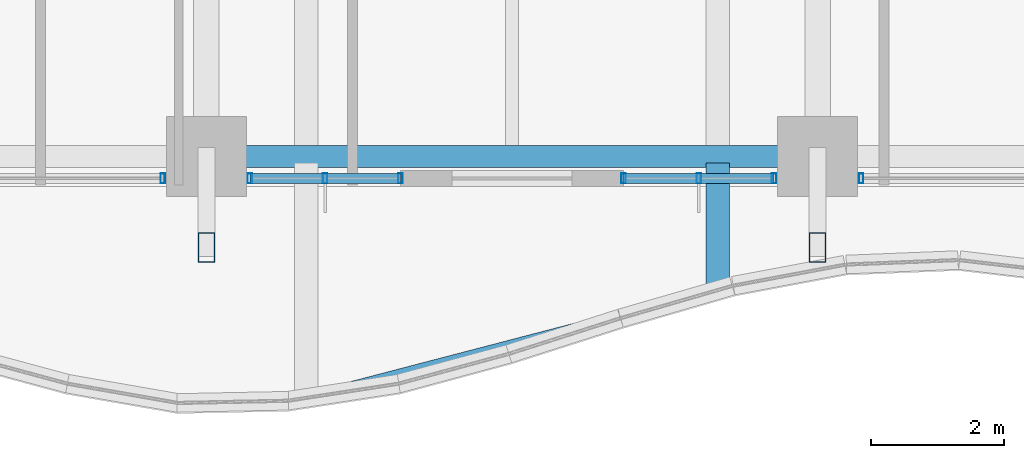
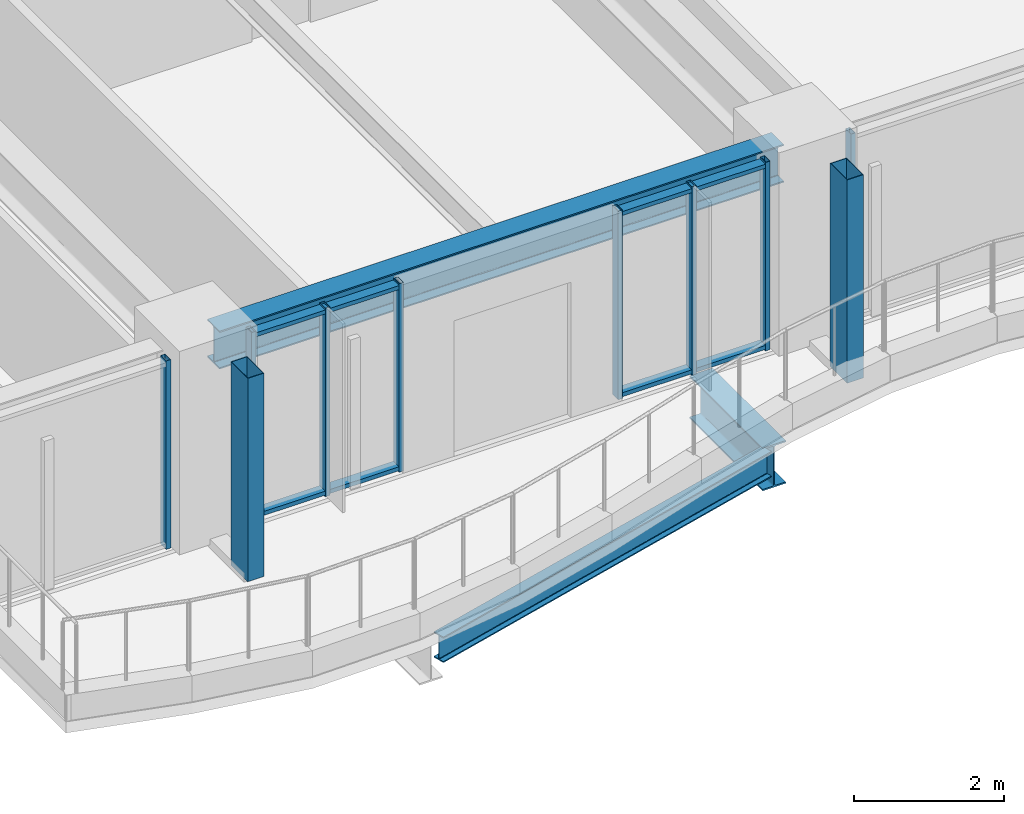
# One storey, part 5 of 38: 14 members, 3 beams, 4 elements without a shape of their own.
"""IFC4 building model written with IfcOpenShell, lengths in metres."""

from ifc_helpers import new_model, si_unit, direction, frame, origin, origin_2d, place, context, subcontext, project, spatial, hollow_rectangle, i_section, extrude, material, material_profile, profile_set, type_object, element, aggregate, save


model = new_model("IFC4")

# Units and contexts
model_context = context("Model", 3, precision=1e-05, world=origin(), true_north=direction((0.0, 1.0)))
body_context = subcontext(model_context, "Body", "Model", "MODEL_VIEW")
ifc_project = project(units=[si_unit("LENGTHUNIT", "METRE"), si_unit("AREAUNIT", "SQUARE_METRE"), si_unit("VOLUMEUNIT", "CUBIC_METRE"), si_unit("PLANEANGLEUNIT", "RADIAN"), si_unit("MASSUNIT", "GRAM", prefix="KILO")], contexts=[model_context])

# Site, building, storey
site_placement = place(None, origin())
site = spatial("IfcSite", under=ifc_project, at=site_placement, CompositionType="ELEMENT")
building_placement = place(site_placement, origin())
building = spatial("IfcBuilding", under=site, at=building_placement, Name="Kolvaren Belvedere", CompositionType="ELEMENT")
storey_placement = place(building_placement, frame((0.0, 0.0, 50.199951171875)))
storey = spatial("IfcBuildingStorey", under=building, at=storey_placement, Name="L14", CompositionType="ELEMENT", Elevation=50.199951171875)

# Beams
ifc_material_1 = material(Name="Structural steel ASTM A992 Grade 50", Category="steel")
ifc_material_profile_1 = material_profile(ifc_material_1, i_section(OverallWidth=0.35498046875, OverallDepth=0.696044921875, WebThickness=0.015380859375, FlangeThickness=0.02490234375, FilletRadius=0.02197265625, at=origin_2d()), Name="W27X146")
ifc_profile_set_1 = profile_set([ifc_material_profile_1], Name="Structural steel ASTM A992 Grade 50")
beam_type_1 = type_object("IfcBeamType", Name="BM-CANT-BAL", PredefinedType="BEAM", material=ifc_profile_set_1)
beam_1_placement = place(storey_placement, frame((3.10009765625, -21.64501953125, -0.587890625), z_axis=(0.0, -1.0, 0.0), x_axis=(1.0, 0.0, 0.0)))
element("IfcBeam", 1, at=beam_1_placement, inside=storey, type_object=beam_type_1, Name="L14 Planted Balcony Cantilever BAL-S-2", PredefinedType="BEAM", context=body_context, shape_type="SweptSolid", body=[
    extrude(i_section(OverallWidth=0.35498046875, OverallDepth=0.696044921875, WebThickness=0.015380859375, FlangeThickness=0.02490234375, FilletRadius=0.02197265625, at=origin_2d()), origin(), (0.0, 0.0, 1.0), 1.94189453125),
])
ifc_material_2 = material(Name="Structural steel ASTM A992 Grade 50", Category="steel")
ifc_material_profile_2 = material_profile(ifc_material_2, i_section(OverallWidth=0.180908203125, OverallDepth=0.4169921875, WebThickness=0.010986328125, FlangeThickness=0.018310546875, FilletRadius=0.013916015625, at=origin_2d()), Name="W16X57")
ifc_profile_set_2 = profile_set([ifc_material_profile_2], Name="Structural steel ASTM A992 Grade 50")
beam_type_2 = type_object("IfcBeamType", Name="BM-EDGE-W16X57", PredefinedType="BEAM", material=ifc_profile_set_2)
beam_2_placement = place(storey_placement, frame((-2.964599609375, -25.170654296875, -0.448486328125), z_axis=(0.9675537799, 0.25266515985, 0.0), x_axis=(-0.25266515985, 0.9675537799, 0.0)))
element("IfcBeam", 2, at=beam_2_placement, inside=storey, type_object=beam_type_2, Name="L14 Balcony Tip Header Beam BAL-S", PredefinedType="BEAM", context=body_context, shape_type="SweptSolid", body=[
    extrude(i_section(OverallWidth=0.180908203125, OverallDepth=0.4169921875, WebThickness=0.010986328125, FlangeThickness=0.018310546875, FilletRadius=0.013916015625, at=origin_2d()), origin(), (0.0, 0.0, 1.0), 6.1279296875),
])
ifc_material_3 = material(Name="Structural steel ASTM A992 Grade 50", Category="steel")
ifc_material_profile_3 = material_profile(ifc_material_3, i_section(OverallWidth=0.324951171875, OverallDepth=0.615966796875, WebThickness=0.013916015625, FlangeThickness=0.021484375, FilletRadius=0.02001953125, at=origin_2d()), Name="W24X117")
ifc_profile_set_3 = profile_set([ifc_material_profile_3], Name="Structural steel ASTM A992 Grade 50")
beam_type_3 = type_object("IfcBeamType", Name="BM-SPAN-W24X117", PredefinedType="SPANDREL", material=ifc_profile_set_3)
beam_3_placement = place(storey_placement, frame((-4.330078125, -21.550048828125, 2.751953125), z_axis=(1.0, 0.0, 0.0), x_axis=(0.0, 1.0, 0.0)))
element("IfcBeam", 3, at=beam_3_placement, inside=storey, type_object=beam_type_3, Name="L14 Perimeter Spandrel S2-S3", PredefinedType="SPANDREL", context=body_context, shape_type="SweptSolid", body=[
    extrude(i_section(OverallWidth=0.324951171875, OverallDepth=0.615966796875, WebThickness=0.013916015625, FlangeThickness=0.021484375, FilletRadius=0.02001953125, at=origin_2d()), origin(), (0.0, 0.0, 1.0), 8.66015625),
])

# Curtain wall, member
ifc_material_4 = material(Name="Anodised pale-metal aluminium AA 6063-T6", Category="aluminium")
curtain_wall_type = type_object("IfcCurtainWallType", Name="CW-Z1-LOW", PredefinedType="NOTDEFINED", material=ifc_material_4)
curtain_wall_1_placement = place(storey_placement, origin())
curtain_wall_1 = element("IfcCurtainWall", 4, at=curtain_wall_1_placement, inside=storey, type_object=curtain_wall_type, Name="L14 Unitised Curtain Wall FCW-L14-S1-B1", PredefinedType="NOTDEFINED")
ifc_material_5 = material(Name="Anodised pale-metal aluminium AA 6063-T6", Category="aluminium")
ifc_material_profile_4 = material_profile(ifc_material_5, hollow_rectangle(XDim=0.070068359375, YDim=0.14990234375, WallThickness=0.004150390625, at=origin_2d()), Name="ALU-MUL-150X70")
ifc_profile_set_4 = profile_set([ifc_material_profile_4], Name="Anodised pale-metal aluminium AA 6063-T6")
member_type_1 = type_object("IfcMemberType", Name="CW-MUL-150", PredefinedType="MULLION", material=ifc_profile_set_4)
member_1_placement = place(storey_placement, frame((5.2548828125, -21.8798828125, 0.0), z_axis=(0.0, 0.0, 1.0), x_axis=(1.0, 0.0, 0.0)))
member_1 = element("IfcMember", 5, at=member_1_placement, type_object=member_type_1, Name="FCW-L14-S1-B1 Unitised Mullion 3", PredefinedType="MULLION", context=body_context, shape_type="SweptSolid", body=[
    extrude(hollow_rectangle(XDim=0.070068359375, YDim=0.14990234375, WallThickness=0.004150390625, at=origin_2d()), origin(), (0.0, 0.0, 1.0), 3.06005859375),
])
aggregate(curtain_wall_1, [member_1])

# Curtain wall, members
curtain_wall_2_placement = place(storey_placement, origin())
curtain_wall_2 = element("IfcCurtainWall", 6, at=curtain_wall_2_placement, inside=storey, type_object=curtain_wall_type, Name="L14 Unitised Curtain Wall FCW-L14-S1-B2", PredefinedType="NOTDEFINED")
member_2_placement = place(storey_placement, frame((3.945068359375, -21.8798828125, 0.0), z_axis=(0.0, 0.0, 1.0), x_axis=(1.0, 0.0, 0.0)))
member_2 = element("IfcMember", 7, at=member_2_placement, type_object=member_type_1, Name="FCW-L14-S1-B2 Unitised Mullion 1", PredefinedType="MULLION", context=body_context, shape_type="SweptSolid", body=[
    extrude(hollow_rectangle(XDim=0.070068359375, YDim=0.14990234375, WallThickness=0.004150390625, at=origin_2d()), origin(), (0.0, 0.0, 1.0), 3.06005859375),
])
member_3_placement = place(storey_placement, frame((2.8125, -21.8798828125, 0.0), z_axis=(0.0, 0.0, 1.0), x_axis=(1.0, 0.0, 0.0)))
member_3 = element("IfcMember", 8, at=member_3_placement, type_object=member_type_1, Name="FCW-L14-S1-B2 Unitised Mullion 2", PredefinedType="MULLION", context=body_context, shape_type="SweptSolid", body=[
    extrude(hollow_rectangle(XDim=0.070068359375, YDim=0.14990234375, WallThickness=0.004150390625, at=origin_2d()), origin(), (0.0, 0.0, 1.0), 3.06005859375),
])
member_4_placement = place(storey_placement, frame((1.679931640625, -21.8798828125, 0.0), z_axis=(0.0, 0.0, 1.0), x_axis=(1.0, 0.0, 0.0)))
member_4 = element("IfcMember", 9, at=member_4_placement, type_object=member_type_1, Name="FCW-L14-S1-B2 Unitised Mullion 3", PredefinedType="MULLION", context=body_context, shape_type="SweptSolid", body=[
    extrude(hollow_rectangle(XDim=0.070068359375, YDim=0.14990234375, WallThickness=0.004150390625, at=origin_2d()), origin(), (0.0, 0.0, 1.0), 3.06005859375),
])

curtain_wall_3_placement = place(storey_placement, origin())
curtain_wall_3 = element("IfcCurtainWall", 10, at=curtain_wall_3_placement, inside=storey, type_object=curtain_wall_type, Name="L14 Unitised Curtain Wall FCW-L14-S2-B1", PredefinedType="NOTDEFINED")
member_5_placement = place(storey_placement, frame((-1.679931640625, -21.8798828125, 0.0), z_axis=(0.0, 0.0, 1.0), x_axis=(1.0, 0.0, 0.0)))
member_5 = element("IfcMember", 11, at=member_5_placement, type_object=member_type_1, Name="FCW-L14-S2-B1 Unitised Mullion 1", PredefinedType="MULLION", context=body_context, shape_type="SweptSolid", body=[
    extrude(hollow_rectangle(XDim=0.070068359375, YDim=0.14990234375, WallThickness=0.004150390625, at=origin_2d()), origin(), (0.0, 0.0, 1.0), 3.06005859375),
])
member_6_placement = place(storey_placement, frame((-2.8125, -21.8798828125, 0.0), z_axis=(0.0, 0.0, 1.0), x_axis=(1.0, 0.0, 0.0)))
member_6 = element("IfcMember", 12, at=member_6_placement, type_object=member_type_1, Name="FCW-L14-S2-B1 Unitised Mullion 2", PredefinedType="MULLION", context=body_context, shape_type="SweptSolid", body=[
    extrude(hollow_rectangle(XDim=0.070068359375, YDim=0.14990234375, WallThickness=0.004150390625, at=origin_2d()), origin(), (0.0, 0.0, 1.0), 3.06005859375),
])
member_7_placement = place(storey_placement, frame((-3.945068359375, -21.8798828125, 0.0), z_axis=(0.0, 0.0, 1.0), x_axis=(1.0, 0.0, 0.0)))
member_7 = element("IfcMember", 13, at=member_7_placement, type_object=member_type_1, Name="FCW-L14-S2-B1 Unitised Mullion 3", PredefinedType="MULLION", context=body_context, shape_type="SweptSolid", body=[
    extrude(hollow_rectangle(XDim=0.070068359375, YDim=0.14990234375, WallThickness=0.004150390625, at=origin_2d()), origin(), (0.0, 0.0, 1.0), 3.06005859375),
])

# Curtain wall, member
curtain_wall_4_placement = place(storey_placement, origin())
curtain_wall_4 = element("IfcCurtainWall", 14, at=curtain_wall_4_placement, inside=storey, type_object=curtain_wall_type, Name="L14 Unitised Curtain Wall FCW-L14-S2-B2", PredefinedType="NOTDEFINED")
member_8_placement = place(storey_placement, frame((-5.2548828125, -21.8798828125, 0.0), z_axis=(0.0, 0.0, 1.0), x_axis=(1.0, 0.0, 0.0)))
member_8 = element("IfcMember", 15, at=member_8_placement, type_object=member_type_1, Name="FCW-L14-S2-B2 Unitised Mullion 1", PredefinedType="MULLION", context=body_context, shape_type="SweptSolid", body=[
    extrude(hollow_rectangle(XDim=0.070068359375, YDim=0.14990234375, WallThickness=0.004150390625, at=origin_2d()), origin(), (0.0, 0.0, 1.0), 3.06005859375),
])
aggregate(curtain_wall_4, [member_8])

# Member
ifc_material_6 = material(Name="Anodised pale-metal aluminium AA 6063-T6", Category="aluminium")
ifc_material_profile_5 = material_profile(ifc_material_6, hollow_rectangle(XDim=0.06494140625, YDim=0.14990234375, WallThickness=0.00390625, at=origin_2d()), Name="ALU-TRN-150X65")
ifc_profile_set_5 = profile_set([ifc_material_profile_5], Name="Anodised pale-metal aluminium AA 6063-T6")
member_type_2 = type_object("IfcMemberType", Name="CW-TRN-150", PredefinedType="USERDEFINED", material=ifc_profile_set_5)
member_9_placement = place(storey_placement, frame((3.945068359375, -21.8798828125, 0.06005859375), z_axis=(-1.0, 0.0, 0.0), x_axis=(0.0, 0.0, 1.0)))
member_9 = element("IfcMember", 16, at=member_9_placement, type_object=member_type_2, Name="FCW-L14-S1-B2 Sill Transom", ObjectType="TRANSOM", PredefinedType="USERDEFINED", context=body_context, shape_type="SweptSolid", body=[
    extrude(hollow_rectangle(XDim=0.06494140625, YDim=0.14990234375, WallThickness=0.00390625, at=origin_2d()), origin(), (0.0, 0.0, 1.0), 2.26513671875),
])

member_10_placement = place(storey_placement, frame((3.945068359375, -21.8798828125, 3.0), z_axis=(-1.0, 0.0, 0.0), x_axis=(0.0, 0.0, 1.0)))
member_10 = element("IfcMember", 17, at=member_10_placement, type_object=member_type_2, Name="FCW-L14-S1-B2 Head Transom", ObjectType="TRANSOM", PredefinedType="USERDEFINED", context=body_context, shape_type="SweptSolid", body=[
    extrude(hollow_rectangle(XDim=0.06494140625, YDim=0.14990234375, WallThickness=0.00390625, at=origin_2d()), origin(), (0.0, 0.0, 1.0), 2.26513671875),
])

aggregate(curtain_wall_2, [member_2, member_3, member_4, member_9, member_10])

member_11_placement = place(storey_placement, frame((-1.679931640625, -21.8798828125, 0.06005859375), z_axis=(-1.0, 0.0, 0.0), x_axis=(0.0, 0.0, 1.0)))
member_11 = element("IfcMember", 18, at=member_11_placement, type_object=member_type_2, Name="FCW-L14-S2-B1 Sill Transom", ObjectType="TRANSOM", PredefinedType="USERDEFINED", context=body_context, shape_type="SweptSolid", body=[
    extrude(hollow_rectangle(XDim=0.06494140625, YDim=0.14990234375, WallThickness=0.00390625, at=origin_2d()), origin(), (0.0, 0.0, 1.0), 2.26513671875),
])

member_12_placement = place(storey_placement, frame((-1.679931640625, -21.8798828125, 3.0), z_axis=(-1.0, 0.0, 0.0), x_axis=(0.0, 0.0, 1.0)))
member_12 = element("IfcMember", 19, at=member_12_placement, type_object=member_type_2, Name="FCW-L14-S2-B1 Head Transom", ObjectType="TRANSOM", PredefinedType="USERDEFINED", context=body_context, shape_type="SweptSolid", body=[
    extrude(hollow_rectangle(XDim=0.06494140625, YDim=0.14990234375, WallThickness=0.00390625, at=origin_2d()), origin(), (0.0, 0.0, 1.0), 2.26513671875),
])

aggregate(curtain_wall_3, [member_5, member_6, member_7, member_11, member_12])

# Members
ifc_material_7 = material(Name="Anodised pale-metal aluminium AA 6063-T6", Category="aluminium")
ifc_material_profile_6 = material_profile(ifc_material_7, hollow_rectangle(XDim=0.25, YDim=0.449951171875, WallThickness=0.008544921875, at=origin_2d()), Name="ALU-PF-450X250")
ifc_profile_set_6 = profile_set([ifc_material_profile_6], Name="Anodised pale-metal aluminium AA 6063-T6")
member_type_3 = type_object("IfcMemberType", Name="PF-FRAME-450", PredefinedType="USERDEFINED", material=ifc_profile_set_6)
for number, where, z_axis, x_axis, name in (
    (20, (4.60009765625, -22.919921875, 0.0), (0.0, 0.0, 1.0), (1.0, 0.0, 0.0), "L14 Outboard Picture-Frame Vertical S1"),
    (21, (-4.60009765625, -22.919921875, 0.0), (0.0, 0.0, 1.0), (1.0, 0.0, 0.0), "L14 Outboard Picture-Frame Vertical S2"),
):
    element("IfcMember", number, at=place(storey_placement, frame(where, z_axis=z_axis, x_axis=x_axis)), inside=storey, type_object=member_type_3, Name=name, ObjectType="PICTURE FRAME FIN", PredefinedType="USERDEFINED", context=body_context, shape_type="SweptSolid", body=[
        extrude(hollow_rectangle(XDim=0.25, YDim=0.449951171875, WallThickness=0.008544921875, at=origin_2d()), origin(), (0.0, 0.0, 1.0), 3.300048828125),
    ])

save(model, "model.ifc")
